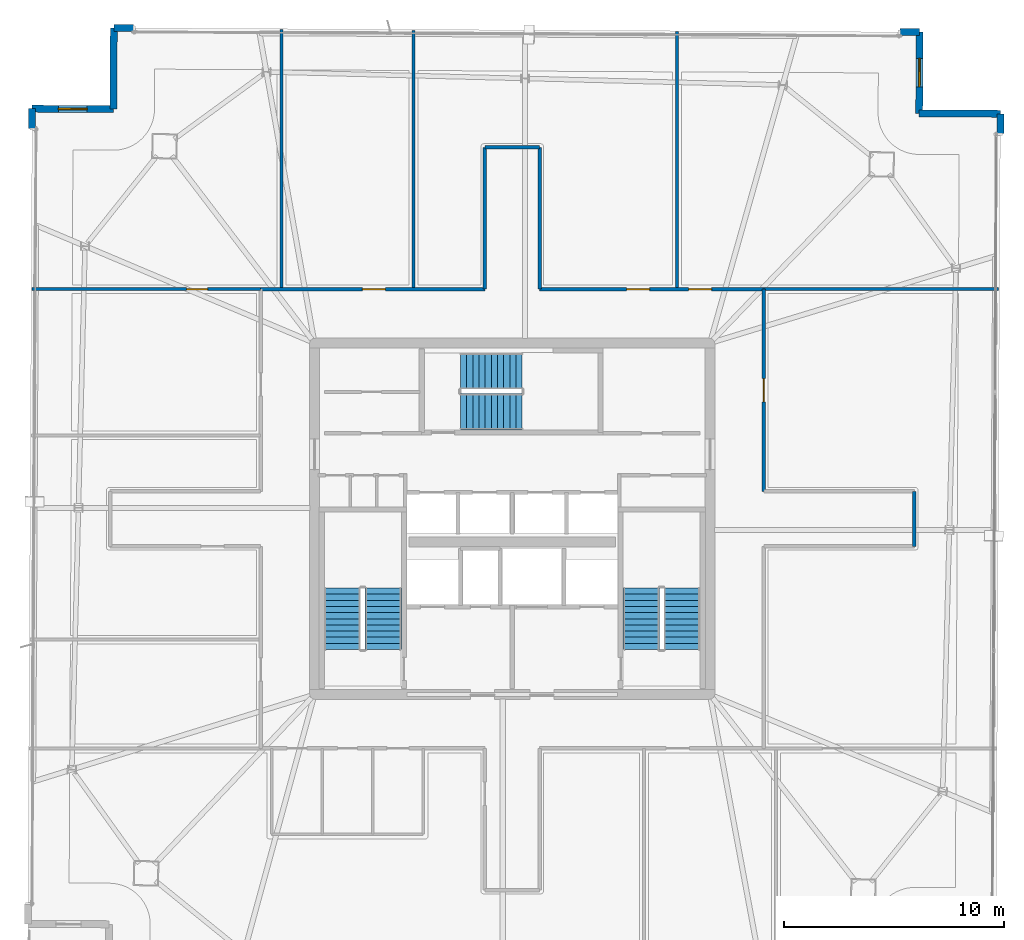
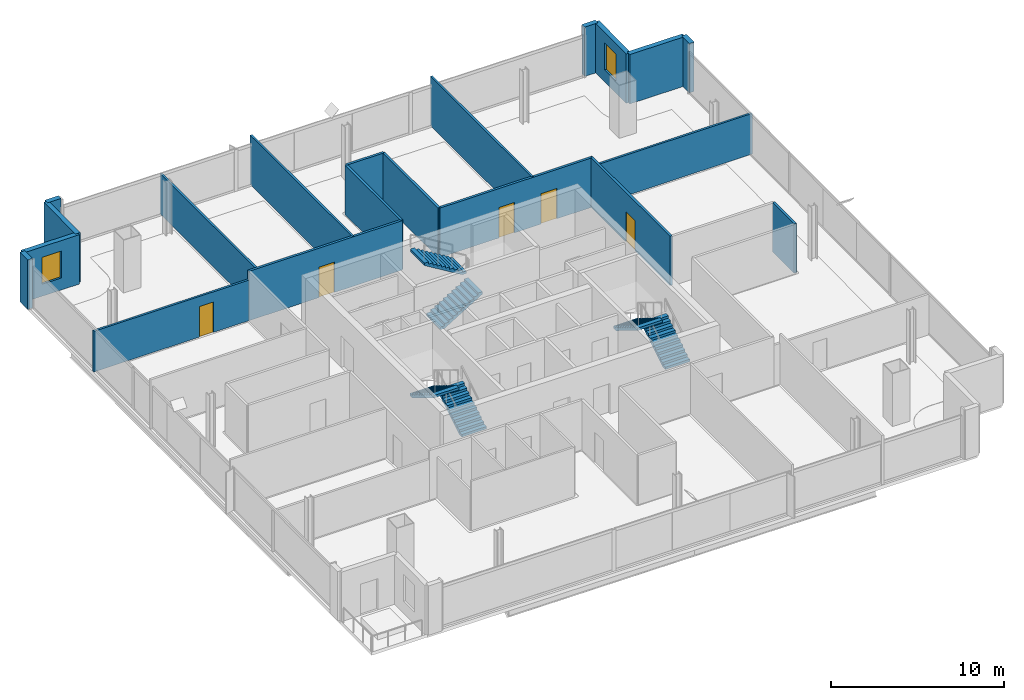
# One storey, part 21 of 24: 20 walls, 6 stair flights, 5 doors, 2 windows, 7 openings, 3 elements without a shape of their own.
"""IFC4 building model written with IfcOpenShell, lengths in metres."""

from ifc_helpers import new_model, si_unit, direction, frame, frame_2d, origin, place, context, subcontext, project, spatial, polyline, rectangle, outline, extrude, material, layer, layer_set, type_object, element, fill, aggregate, save


model = new_model("IFC4")

# Units and contexts
model_context = context("Model", 3, precision=1e-05, world=origin(), true_north=direction((0.0, 1.0)))
body_context = subcontext(model_context, "Body", "Model", "MODEL_VIEW")
ifc_project = project(units=[si_unit("LENGTHUNIT", "METRE"), si_unit("AREAUNIT", "SQUARE_METRE"), si_unit("VOLUMEUNIT", "CUBIC_METRE"), si_unit("PLANEANGLEUNIT", "RADIAN"), si_unit("MASSUNIT", "GRAM", prefix="KILO")], contexts=[model_context])

# Site, building, storey
site_placement = place(None, origin())
site = spatial("IfcSite", under=ifc_project, at=site_placement, CompositionType="ELEMENT")
building_placement = place(site_placement, origin())
building = spatial("IfcBuilding", under=site, at=building_placement, Name="Haldenkirk Collegiate Tower", CompositionType="ELEMENT")
storey_placement = place(building_placement, frame((0.0, 0.0, 328.949951171875)))
storey = spatial("IfcBuildingStorey", under=building, at=storey_placement, Name="L83", CompositionType="ELEMENT", Elevation=328.949951171875)

# Walls
ifc_material_1 = material(Name="Precast concrete f'c 40 MPa", Category="concrete")
ifc_layer_1 = layer(ifc_material_1, 0.320068359375)
ifc_layer_set_1 = layer_set([ifc_layer_1], Name="Precast concrete f'c 40 MPa")
wall_type_1 = type_object("IfcWallType", Name="WL-EXT-TWR-320", PredefinedType="STANDARD", material=ifc_layer_set_1)
wall_1_placement = place(storey_placement, frame((58.2216796875, 44.433837890625, 0.0), z_axis=(0.0, 0.0, 1.0), x_axis=(-0.005154570696, -0.999986715112, 0.0)))
element("IfcWall", 1, at=wall_1_placement, inside=storey, type_object=wall_type_1, Name="L83 precast corner pier SL", PredefinedType="STANDARD", context=body_context, shape_type="SweptSolid", body=[
    extrude(rectangle(XDim=0.89990234375, YDim=0.320068359375, at=frame_2d((0.449951171875, 0.0))), origin(), (0.0, 0.0, 1.0), 3.489990234375),
])
wall_2_placement = place(storey_placement, frame((54.52197265625, 44.453369140625, 0.0), z_axis=(0.0, 0.0, 1.0), x_axis=(0.999986065662, -0.005279060661, 0.0)))
element("IfcWall", 2, at=wall_2_placement, inside=storey, type_object=wall_type_1, Name="L83 bronze precast notch wall 02", PredefinedType="STANDARD", context=body_context, shape_type="SweptSolid", body=[
    extrude(rectangle(XDim=3.69970703125, YDim=0.320068359375, at=frame_2d((1.849853515625, 0.0))), origin(), (0.0, 0.0, 1.0), 3.489990234375),
])

# Wall, opening, window
wall_3_placement = place(storey_placement, frame((54.541259765625, 48.1533203125, 0.0), z_axis=(0.0, 0.0, 1.0), x_axis=(-0.005212730233, -0.999986413629, 0.0)))
wall_3 = element("IfcWall", 3, at=wall_3_placement, inside=storey, type_object=wall_type_1, Name="L83 bronze precast notch wall 03", PredefinedType="STANDARD", context=body_context, shape_type="SweptSolid", body=[
    extrude(rectangle(XDim=3.699951171875, YDim=0.320068359375, at=frame_2d((1.85009765625, 0.0))), origin(), (0.0, 0.0, 1.0), 3.489990234375),
])
opening_1_placement = place(wall_3_placement, frame((1.199951171875, 0.0, 0.85009765625)))
opening_1 = element("IfcOpeningElement", 4, at=opening_1_placement, cuts=wall_3, Name="Opening W-08", PredefinedType="OPENING", context=body_context, shape_type="SweptSolid", body=[
    extrude(rectangle(XDim=1.300048828125, YDim=1.89990234375, at=frame_2d((0.64990234375, 0.949951171875))), frame((0.0, 0.169921875, 0.0), z_axis=(0.0, -1.0, 0.0), x_axis=(1.0, 0.0, 0.0)), (0.0, 0.0, 1.0), 0.340087890625),
])
ifc_material_2 = material(Name="Low-E argon triple insulating glass", Category="glass")
ifc_layer_2 = layer(ifc_material_2, 0.090087890625)
ifc_layer_set_2 = layer_set([ifc_layer_2], Name="Low-E argon triple insulating glass")
window_type = type_object("IfcWindowType", Name="WN-Z6-1300X1900", PartitioningType="SINGLE_PANEL", PredefinedType="WINDOW", material=ifc_layer_set_2)
window_1_placement = place(opening_1_placement, origin())
window_1 = element("IfcWindow", 5, at=window_1_placement, inside=storey, type_object=window_type, Name="L83 precast-frame academic window 2", OverallHeight=1.89990234375, OverallWidth=1.300048828125, PartitioningType="SINGLE_PANEL", PredefinedType="WINDOW", context=body_context, shape_type="SweptSolid", body=[
    extrude(rectangle(XDim=1.300048828125, YDim=1.89990234375, at=frame_2d((0.64990234375, 0.949951171875))), frame((0.0, 0.030029296875, 0.0), z_axis=(0.0, -1.0, 0.0), x_axis=(1.0, 0.0, 0.0)), (0.0, 0.0, 1.0), 0.06005859375),
])
fill(opening_1, window_1)

# Walls
for number, where, z_axis, x_axis, name in (
    (6, (17.86669921875, 48.34521484375, 0.0), (0.0, 0.0, 1.0), (0.999986722317, -0.005153172694, 0.0), "L83 precast corner pier EL"),
    (7, (53.64111328125, 48.157958984375, 0.0), (0.0, 0.0, 1.0), (0.999986722317, -0.005153172694, 0.0), "L83 precast corner pier ER"),
):
    element("IfcWall", number, at=place(storey_placement, frame(where, z_axis=z_axis, x_axis=x_axis)), inside=storey, type_object=wall_type_1, Name=name, PredefinedType="STANDARD", context=body_context, shape_type="SweptSolid", body=[
        extrude(rectangle(XDim=0.900146484375, YDim=0.320068359375, at=frame_2d((0.4501953125, 0.0))), origin(), (0.0, 0.0, 1.0), 3.489990234375),
    ])
wall_4_placement = place(storey_placement, frame((17.847412109375, 44.645263671875, 0.0), z_axis=(0.0, 0.0, 1.0), x_axis=(0.005212730233, 0.999986413629, 0.0)))
element("IfcWall", 8, at=wall_4_placement, inside=storey, type_object=wall_type_1, Name="L83 bronze precast notch wall 05", PredefinedType="STANDARD", context=body_context, shape_type="SweptSolid", body=[
    extrude(rectangle(XDim=3.699951171875, YDim=0.320068359375, at=frame_2d((1.85009765625, 0.0))), origin(), (0.0, 0.0, 1.0), 3.489990234375),
])

# Wall, opening, window
wall_5_placement = place(storey_placement, frame((14.1474609375, 44.664794921875, 0.0), z_axis=(0.0, 0.0, 1.0), x_axis=(0.999986067501, -0.005278712333, 0.0)))
wall_5 = element("IfcWall", 9, at=wall_5_placement, inside=storey, type_object=wall_type_1, Name="L83 bronze precast notch wall 06", PredefinedType="STANDARD", context=body_context, shape_type="SweptSolid", body=[
    extrude(rectangle(XDim=3.699951171875, YDim=0.320068359375, at=frame_2d((1.85009765625, 0.0))), origin(), (0.0, 0.0, 1.0), 3.489990234375),
])
opening_2_placement = place(wall_5_placement, frame((1.199951171875, 0.0, 0.85009765625)))
opening_2 = element("IfcOpeningElement", 10, at=opening_2_placement, cuts=wall_5, Name="Opening W-08", PredefinedType="OPENING", context=body_context, shape_type="SweptSolid", body=[
    extrude(rectangle(XDim=1.300048828125, YDim=1.89990234375, at=frame_2d((0.64990234375, 0.949951171875))), frame((0.0, 0.169921875, 0.0), z_axis=(0.0, -1.0, 0.0), x_axis=(1.0, 0.0, 0.0)), (0.0, 0.0, 1.0), 0.340087890625),
])
window_2_placement = place(opening_2_placement, origin())
window_2 = element("IfcWindow", 11, at=window_2_placement, inside=storey, type_object=window_type, Name="L83 precast-frame academic window 5", OverallHeight=1.89990234375, OverallWidth=1.300048828125, PartitioningType="SINGLE_PANEL", PredefinedType="WINDOW", context=body_context, shape_type="SweptSolid", body=[
    extrude(rectangle(XDim=1.300048828125, YDim=1.89990234375, at=frame_2d((0.64990234375, 0.949951171875))), frame((0.0, 0.030029296875, 0.0), z_axis=(0.0, -1.0, 0.0), x_axis=(1.0, 0.0, 0.0)), (0.0, 0.0, 1.0), 0.06005859375),
])
fill(opening_2, window_2)

# Wall
wall_6_placement = place(storey_placement, frame((14.142578125, 43.7646484375, 0.0), z_axis=(0.0, 0.0, 1.0), x_axis=(0.005424384529, 0.999985287918, 0.0)))
element("IfcWall", 12, at=wall_6_placement, inside=storey, type_object=wall_type_1, Name="L83 precast corner pier NR", PredefinedType="STANDARD", context=body_context, shape_type="SweptSolid", body=[
    extrude(rectangle(XDim=0.900146484375, YDim=0.320068359375, at=frame_2d((0.4501953125, 0.0))), origin(), (0.0, 0.0, 1.0), 3.489990234375),
])

# Wall, opening, door
ifc_material_3 = material(Name="Acoustic fire-rated gypsum partition", Category="concrete")
ifc_layer_3 = layer(ifc_material_3, 0.159912109375)
ifc_layer_set_3 = layer_set([ifc_layer_3], Name="Acoustic fire-rated gypsum partition")
wall_type_2 = type_object("IfcWallType", Name="WL-INT-CORR-160", PredefinedType="PARTITIONING", material=ifc_layer_set_3)
wall_7_placement = place(storey_placement, frame((24.5, 36.449951171875, 0.0), z_axis=(0.0, 0.0, 1.0), x_axis=(1.0, 0.0, 0.0)))
wall_7 = element("IfcWall", 13, at=wall_7_placement, inside=storey, type_object=wall_type_2, Name="L83 interior partition IW-L83-CN1", PredefinedType="PARTITIONING", context=body_context, shape_type="SweptSolid", body=[
    extrude(rectangle(XDim=10.25, YDim=0.159912109375, at=frame_2d((5.125, 0.0))), origin(), (0.0, 0.0, 1.0), 3.489990234375),
])
opening_3_placement = place(wall_7_placement, frame((4.675048828125, 0.0, 0.0)))
opening_3 = element("IfcOpeningElement", 14, at=opening_3_placement, cuts=wall_7, Name="Opening D-09", PredefinedType="OPENING", context=body_context, shape_type="SweptSolid", body=[
    extrude(rectangle(XDim=1.050048828125, YDim=2.14990234375, at=frame_2d((0.52490234375, 1.074951171875))), frame((0.0, 0.08984375, 0.0), z_axis=(0.0, -1.0, 0.0), x_axis=(1.0, 0.0, 0.0)), (0.0, 0.0, 1.0), 0.179931640625),
])
ifc_material_4 = material(Name="Solid-core architectural oak fire door", Category="wood")
ifc_layer_4 = layer(ifc_material_4, 0.06005859375)
ifc_layer_set_4 = layer_set([ifc_layer_4], Name="Solid-core architectural oak fire door")
door_type_1 = type_object("IfcDoorType", Name="DR-INT-FD60-1050", OperationType="NOTDEFINED", PredefinedType="DOOR", material=ifc_layer_set_4)
door_1_placement = place(opening_3_placement, origin())
door_1 = element("IfcDoor", 15, at=door_1_placement, inside=storey, type_object=door_type_1, Name="L83 Case Method Seminar Room 5 door", OperationType="SINGLE_SWING_LEFT", OverallHeight=2.14990234375, OverallWidth=1.050048828125, PredefinedType="DOOR", context=body_context, shape_type="SweptSolid", body=[
    extrude(rectangle(XDim=1.050048828125, YDim=2.14990234375, at=frame_2d((0.52490234375, 1.074951171875))), frame((0.0, 0.02490234375, 0.0), z_axis=(0.0, -1.0, 0.0), x_axis=(1.0, 0.0, 0.0)), (0.0, 0.0, 1.0), 0.050048828125),
])
fill(opening_3, door_1)

# Wall, openings, doors
wall_8_placement = place(storey_placement, frame((37.25, 36.449951171875, 0.0), z_axis=(0.0, 0.0, 1.0), x_axis=(1.0, 0.0, 0.0)))
wall_8 = element("IfcWall", 16, at=wall_8_placement, inside=storey, type_object=wall_type_2, Name="L83 interior partition IW-L83-CN2", PredefinedType="PARTITIONING", context=body_context, shape_type="SweptSolid", body=[
    extrude(rectangle(XDim=10.25, YDim=0.159912109375, at=frame_2d((5.125, 0.0))), origin(), (0.0, 0.0, 1.0), 3.489990234375),
])
opening_4_placement = place(wall_8_placement, frame((3.950927734375, 0.0, 0.0)))
opening_4 = element("IfcOpeningElement", 17, at=opening_4_placement, cuts=wall_8, Name="Opening D-09", PredefinedType="OPENING", context=body_context, shape_type="SweptSolid", body=[
    extrude(rectangle(XDim=1.050048828125, YDim=2.14990234375, at=frame_2d((0.52490234375, 1.074951171875))), frame((0.0, 0.08984375, 0.0), z_axis=(0.0, -1.0, 0.0), x_axis=(1.0, 0.0, 0.0)), (0.0, 0.0, 1.0), 0.179931640625),
])
opening_5_placement = place(wall_8_placement, frame((6.779052734375, 0.0, 0.0)))
opening_5 = element("IfcOpeningElement", 18, at=opening_5_placement, cuts=wall_8, Name="Opening D-09", PredefinedType="OPENING", context=body_context, shape_type="SweptSolid", body=[
    extrude(rectangle(XDim=1.050048828125, YDim=2.14990234375, at=frame_2d((0.52490234375, 1.074951171875))), frame((0.0, 0.08984375, 0.0), z_axis=(0.0, -1.0, 0.0), x_axis=(1.0, 0.0, 0.0)), (0.0, 0.0, 1.0), 0.179931640625),
])
door_2_placement = place(opening_4_placement, origin())
door_2 = element("IfcDoor", 19, at=door_2_placement, inside=storey, type_object=door_type_1, Name="L83 Critique Seminar Room 6 door", OperationType="SINGLE_SWING_RIGHT", OverallHeight=2.14990234375, OverallWidth=1.050048828125, PredefinedType="DOOR", context=body_context, shape_type="SweptSolid", body=[
    extrude(rectangle(XDim=1.050048828125, YDim=2.14990234375, at=frame_2d((0.52490234375, 1.074951171875))), frame((0.0, 0.02490234375, 0.0), z_axis=(0.0, -1.0, 0.0), x_axis=(1.0, 0.0, 0.0)), (0.0, 0.0, 1.0), 0.050048828125),
])
fill(opening_4, door_2)
door_3_placement = place(opening_5_placement, origin())
door_3 = element("IfcDoor", 20, at=door_3_placement, inside=storey, type_object=door_type_1, Name="L83 Graduate Seminar Room 7 door", OperationType="SINGLE_SWING_LEFT", OverallHeight=2.14990234375, OverallWidth=1.050048828125, PredefinedType="DOOR", context=body_context, shape_type="SweptSolid", body=[
    extrude(rectangle(XDim=1.050048828125, YDim=2.14990234375, at=frame_2d((0.52490234375, 1.074951171875))), frame((0.0, 0.02490234375, 0.0), z_axis=(0.0, -1.0, 0.0), x_axis=(1.0, 0.0, 0.0)), (0.0, 0.0, 1.0), 0.050048828125),
])
fill(opening_5, door_3)

# Wall, opening, door
wall_9_placement = place(storey_placement, frame((47.449951171875, 27.25, 0.0), z_axis=(0.0, 0.0, 1.0), x_axis=(0.0, 1.0, 0.0)))
wall_9 = element("IfcWall", 21, at=wall_9_placement, inside=storey, type_object=wall_type_2, Name="L83 interior partition IW-L83-CE2", PredefinedType="PARTITIONING", context=body_context, shape_type="SweptSolid", body=[
    extrude(rectangle(XDim=9.199951171875, YDim=0.159912109375, at=frame_2d((4.60009765625, 0.0))), origin(), (0.0, 0.0, 1.0), 3.489990234375),
])
opening_6_placement = place(wall_9_placement, frame((4.074951171875, 0.0, 0.0)))
opening_6 = element("IfcOpeningElement", 22, at=opening_6_placement, cuts=wall_9, Name="Opening D-09", PredefinedType="OPENING", context=body_context, shape_type="SweptSolid", body=[
    extrude(rectangle(XDim=1.050048828125, YDim=2.14990234375, at=frame_2d((0.52490234375, 1.074951171875))), frame((0.0, 0.08984375, 0.0), z_axis=(0.0, -1.0, 0.0), x_axis=(1.0, 0.0, 0.0)), (0.0, 0.0, 1.0), 0.179931640625),
])
door_4_placement = place(opening_6_placement, origin())
door_4 = element("IfcDoor", 23, at=door_4_placement, inside=storey, type_object=door_type_1, Name="L83 Case Method Seminar Room 11 door", OperationType="SINGLE_SWING_LEFT", OverallHeight=2.14990234375, OverallWidth=1.050048828125, PredefinedType="DOOR", context=body_context, shape_type="SweptSolid", body=[
    extrude(rectangle(XDim=1.050048828125, YDim=2.14990234375, at=frame_2d((0.52490234375, 1.074951171875))), frame((0.0, 0.02490234375, 0.0), z_axis=(0.0, -1.0, 0.0), x_axis=(1.0, 0.0, 0.0)), (0.0, 0.0, 1.0), 0.050048828125),
])
fill(opening_6, door_4)

# Walls
for number, where, z_axis, x_axis, name in (
    (24, (34.75, 36.449951171875, 0.0), (0.0, 0.0, 1.0), (0.0, 1.0, 0.0), "L83 interior partition IW-L83-NPW"),
    (25, (37.25, 36.449951171875, 0.0), (0.0, 0.0, 1.0), (0.0, 1.0, 0.0), "L83 interior partition IW-L83-NPE"),
):
    element("IfcWall", number, at=place(storey_placement, frame(where, z_axis=z_axis, x_axis=x_axis)), inside=storey, type_object=wall_type_2, Name=name, PredefinedType="PARTITIONING", context=body_context, shape_type="SweptSolid", body=[
        extrude(rectangle(XDim=6.449951171875, YDim=0.159912109375, at=frame_2d((3.22509765625, 0.0))), origin(), (0.0, 0.0, 1.0), 3.489990234375),
    ])
for number, where, z_axis, x_axis, name in (
    (26, (34.75, 42.89990234375, 0.0), (0.0, 0.0, 1.0), (1.0, 0.0, 0.0), "L83 interior partition IW-L83-NPN"),
    (27, (54.300048828125, 24.75, 0.0), (0.0, 0.0, 1.0), (0.0, 1.0, 0.0), "L83 interior partition IW-L83-EPE"),
):
    element("IfcWall", number, at=place(storey_placement, frame(where, z_axis=z_axis, x_axis=x_axis)), inside=storey, type_object=wall_type_2, Name=name, PredefinedType="PARTITIONING", context=body_context, shape_type="SweptSolid", body=[
        extrude(rectangle(XDim=2.5, YDim=0.159912109375, at=frame_2d((1.25, 0.0))), origin(), (0.0, 0.0, 1.0), 3.489990234375),
    ])

# Wall, opening, door
ifc_layer_5 = layer(ifc_material_3, 0.139892578125)
ifc_layer_set_5 = layer_set([ifc_layer_5], Name="Acoustic fire-rated gypsum partition")
wall_type_3 = type_object("IfcWallType", Name="WL-INT-DIV-140", PredefinedType="PARTITIONING", material=ifc_layer_set_5)
wall_10_placement = place(storey_placement, frame((14.144287109375, 36.449951171875, 0.0), z_axis=(0.0, 0.0, 1.0), x_axis=(1.0, 0.0, 0.0)))
wall_10 = element("IfcWall", 28, at=wall_10_placement, inside=storey, type_object=wall_type_3, Name="L83 interior partition IW-L83-BWN", PredefinedType="PARTITIONING", context=body_context, shape_type="SweptSolid", body=[
    extrude(rectangle(XDim=10.40576171875, YDim=0.139892578125, at=frame_2d((5.202880859375, 0.0))), origin(), (0.0, 0.0, 1.0), 2.8681640625),
])
opening_7_placement = place(wall_10_placement, frame((7.03955078125, 0.0, 0.0)))
opening_7 = element("IfcOpeningElement", 29, at=opening_7_placement, cuts=wall_10, Name="Opening D-12", PredefinedType="OPENING", context=body_context, shape_type="SweptSolid", body=[
    extrude(rectangle(XDim=0.949951171875, YDim=2.14990234375, at=frame_2d((0.47509765625, 1.074951171875))), frame((0.0, 0.079833984375, 0.0), z_axis=(0.0, -1.0, 0.0), x_axis=(1.0, 0.0, 0.0)), (0.0, 0.0, 1.0), 0.159912109375),
])
ifc_layer_6 = layer(ifc_material_4, 0.06005859375)
ifc_layer_set_6 = layer_set([ifc_layer_6], Name="Solid-core architectural oak fire door")
door_type_2 = type_object("IfcDoorType", Name="DR-INT-STD-950", OperationType="NOTDEFINED", PredefinedType="DOOR", material=ifc_layer_set_6)
door_5_placement = place(opening_7_placement, origin())
door_5 = element("IfcDoor", 30, at=door_5_placement, inside=storey, type_object=door_type_2, Name="L83 Breakout Conference Room 4 door", OperationType="SINGLE_SWING_RIGHT", OverallHeight=2.14990234375, OverallWidth=0.949951171875, PredefinedType="DOOR", context=body_context, shape_type="SweptSolid", body=[
    extrude(rectangle(XDim=0.949951171875, YDim=2.14990234375, at=frame_2d((0.47509765625, 1.074951171875))), frame((0.0, 0.02490234375, 0.0), z_axis=(0.0, -1.0, 0.0), x_axis=(1.0, 0.0, 0.0)), (0.0, 0.0, 1.0), 0.050048828125),
])
fill(opening_7, door_5)

# Walls
wall_11_placement = place(storey_placement, frame((47.449951171875, 36.449951171875, 0.0), z_axis=(0.0, 0.0, 1.0), x_axis=(1.0, 0.0, 0.0)))
element("IfcWall", 31, at=wall_11_placement, inside=storey, type_object=wall_type_3, Name="L83 interior partition IW-L83-BEN", PredefinedType="PARTITIONING", context=body_context, shape_type="SweptSolid", body=[
    extrude(rectangle(XDim=10.68994140625, YDim=0.139892578125, at=frame_2d((5.344970703125, 0.0))), origin(), (0.0, 0.0, 1.0), 2.8681640625),
])
wall_12_placement = place(storey_placement, frame((25.5, 36.449951171875, 0.0), z_axis=(0.0, 0.0, 1.0), x_axis=(0.0, 1.0, 0.0)))
element("IfcWall", 32, at=wall_12_placement, inside=storey, type_object=wall_type_3, Name="L83 interior partition IW-L83-RN1", PredefinedType="PARTITIONING", context=body_context, shape_type="SweptSolid", body=[
    extrude(rectangle(XDim=11.8154296875, YDim=0.139892578125, at=frame_2d((5.90771484375, 0.0))), origin(), (0.0, 0.0, 1.0), 2.8681640625),
])
wall_13_placement = place(storey_placement, frame((31.5, 36.449951171875, 0.0), z_axis=(0.0, 0.0, 1.0), x_axis=(0.0, 1.0, 0.0)))
element("IfcWall", 33, at=wall_13_placement, inside=storey, type_object=wall_type_3, Name="L83 interior partition IW-L83-RN2", PredefinedType="PARTITIONING", context=body_context, shape_type="SweptSolid", body=[
    extrude(rectangle(XDim=11.783935546875, YDim=0.139892578125, at=frame_2d((5.89208984375, 0.0))), origin(), (0.0, 0.0, 1.0), 3.489990234375),
])
wall_14_placement = place(storey_placement, frame((43.5, 36.449951171875, 0.0), z_axis=(0.0, 0.0, 1.0), x_axis=(0.0, 1.0, 0.0)))
element("IfcWall", 34, at=wall_14_placement, inside=storey, type_object=wall_type_3, Name="L83 interior partition IW-L83-RN3", PredefinedType="PARTITIONING", context=body_context, shape_type="SweptSolid", body=[
    extrude(rectangle(XDim=11.720947265625, YDim=0.139892578125, at=frame_2d((5.8603515625, 0.0))), origin(), (0.0, 0.0, 1.0), 3.489990234375),
])

# Stair, stair flights
ifc_material_5 = material(Name="Concrete f'c 40 MPa", Category="concrete")
stair_type = type_object("IfcStairType", Name="STR-DOGLEG-1650", PredefinedType="HALF_TURN_STAIR", material=ifc_material_5)
stair_1_placement = place(storey_placement, origin())
stair_1 = element("IfcStair", 35, at=stair_1_placement, inside=storey, type_object=stair_type, Name="L83 Core Exit Stair ST-1", PredefinedType="HALF_TURN_STAIR")
stair_flight_type = type_object("IfcStairFlightType", Name="STF-FLIGHT-1650", PredefinedType="STRAIGHT", material=ifc_material_5)
stair_flight_1_placement = place(storey_placement, frame((30.125, 20.050048828125, 0.0), z_axis=(0.0, 0.0, 1.0), x_axis=(0.0, 1.0, 0.0)))
stair_flight_1 = element("IfcStairFlight", 36, at=stair_flight_1_placement, type_object=stair_flight_type, Name="ST-1 flight 1", NumberOfRisers=11, NumberOfTreads=10, PredefinedType="STRAIGHT", RiserHeight=0.170454545, TreadLength=0.28, context=body_context, shape_type="SweptSolid", body=[
    extrude(outline(polyline([(0.0, 0.0), (0.0, 0.17041015625), (0.280029296875, 0.17041015625), (0.280029296875, 0.3408203125), (0.56005859375, 0.3408203125), (0.56005859375, 0.511474609375), (0.840087890625, 0.511474609375), (0.840087890625, 0.681884765625), (1.1201171875, 0.681884765625), (1.1201171875, 0.852294921875), (1.39990234375, 0.852294921875), (1.39990234375, 1.022705078125), (1.679931640625, 1.022705078125), (1.679931640625, 1.193115234375), (1.9599609375, 1.193115234375), (1.9599609375, 1.363525390625), (2.239990234375, 1.363525390625), (2.239990234375, 1.5341796875), (2.52001953125, 1.5341796875), (2.52001953125, 1.70458984375), (2.800048828125, 1.70458984375), (2.800048828125, 1.875), (2.800048828125, 1.529052734375), (0.288330078125, 0.0), (0.0, 0.0)])), frame((0.0, 0.824951171875, 0.0), z_axis=(0.0, -1.0, 0.0), x_axis=(1.0, 0.0, 0.0)), (0.0, 0.0, 1.0), 1.64990234375),
])
stair_flight_2_placement = place(storey_placement, frame((28.27490234375, 22.85009765625, 1.875), z_axis=(0.0, 0.0, 1.0), x_axis=(0.0, -1.0, 0.0)))
stair_flight_2 = element("IfcStairFlight", 37, at=stair_flight_2_placement, type_object=stair_flight_type, Name="ST-1 flight 2", NumberOfRisers=11, NumberOfTreads=10, PredefinedType="STRAIGHT", RiserHeight=0.170454545, TreadLength=0.28, context=body_context, shape_type="SweptSolid", body=[
    extrude(outline(polyline([(0.0, 0.0), (0.0, 0.17041015625), (0.280029296875, 0.17041015625), (0.280029296875, 0.3408203125), (0.56005859375, 0.3408203125), (0.56005859375, 0.511474609375), (0.840087890625, 0.511474609375), (0.840087890625, 0.681884765625), (1.1201171875, 0.681884765625), (1.1201171875, 0.852294921875), (1.39990234375, 0.852294921875), (1.39990234375, 1.022705078125), (1.679931640625, 1.022705078125), (1.679931640625, 1.193115234375), (1.9599609375, 1.193115234375), (1.9599609375, 1.363525390625), (2.239990234375, 1.363525390625), (2.239990234375, 1.5341796875), (2.52001953125, 1.5341796875), (2.52001953125, 1.70458984375), (2.800048828125, 1.70458984375), (2.800048828125, 1.875), (2.800048828125, 1.529052734375), (0.288330078125, 0.0), (0.0, 0.0)])), frame((0.0, 0.824951171875, 0.0), z_axis=(0.0, -1.0, 0.0), x_axis=(1.0, 0.0, 0.0)), (0.0, 0.0, 1.0), 1.64990234375),
])
aggregate(stair_1, [stair_flight_1, stair_flight_2])

stair_2_placement = place(storey_placement, origin())
stair_2 = element("IfcStair", 38, at=stair_2_placement, inside=storey, type_object=stair_type, Name="L83 Core Exit Stair ST-2", PredefinedType="HALF_TURN_STAIR")
stair_flight_3_placement = place(storey_placement, frame((43.72509765625, 20.050048828125, 0.0), z_axis=(0.0, 0.0, 1.0), x_axis=(0.0, 1.0, 0.0)))
stair_flight_3 = element("IfcStairFlight", 39, at=stair_flight_3_placement, type_object=stair_flight_type, Name="ST-2 flight 1", NumberOfRisers=11, NumberOfTreads=10, PredefinedType="STRAIGHT", RiserHeight=0.170454545, TreadLength=0.28, context=body_context, shape_type="SweptSolid", body=[
    extrude(outline(polyline([(0.0, 0.0), (0.0, 0.17041015625), (0.280029296875, 0.17041015625), (0.280029296875, 0.3408203125), (0.56005859375, 0.3408203125), (0.56005859375, 0.511474609375), (0.840087890625, 0.511474609375), (0.840087890625, 0.681884765625), (1.1201171875, 0.681884765625), (1.1201171875, 0.852294921875), (1.39990234375, 0.852294921875), (1.39990234375, 1.022705078125), (1.679931640625, 1.022705078125), (1.679931640625, 1.193115234375), (1.9599609375, 1.193115234375), (1.9599609375, 1.363525390625), (2.239990234375, 1.363525390625), (2.239990234375, 1.5341796875), (2.52001953125, 1.5341796875), (2.52001953125, 1.70458984375), (2.800048828125, 1.70458984375), (2.800048828125, 1.875), (2.800048828125, 1.529052734375), (0.288330078125, 0.0), (0.0, 0.0)])), frame((0.0, 0.824951171875, 0.0), z_axis=(0.0, -1.0, 0.0), x_axis=(1.0, 0.0, 0.0)), (0.0, 0.0, 1.0), 1.64990234375),
])
stair_flight_4_placement = place(storey_placement, frame((41.875, 22.85009765625, 1.875), z_axis=(0.0, 0.0, 1.0), x_axis=(0.0, -1.0, 0.0)))
stair_flight_4 = element("IfcStairFlight", 40, at=stair_flight_4_placement, type_object=stair_flight_type, Name="ST-2 flight 2", NumberOfRisers=11, NumberOfTreads=10, PredefinedType="STRAIGHT", RiserHeight=0.170454545, TreadLength=0.28, context=body_context, shape_type="SweptSolid", body=[
    extrude(outline(polyline([(0.0, 0.0), (0.0, 0.17041015625), (0.280029296875, 0.17041015625), (0.280029296875, 0.3408203125), (0.56005859375, 0.3408203125), (0.56005859375, 0.511474609375), (0.840087890625, 0.511474609375), (0.840087890625, 0.681884765625), (1.1201171875, 0.681884765625), (1.1201171875, 0.852294921875), (1.39990234375, 0.852294921875), (1.39990234375, 1.022705078125), (1.679931640625, 1.022705078125), (1.679931640625, 1.193115234375), (1.9599609375, 1.193115234375), (1.9599609375, 1.363525390625), (2.239990234375, 1.363525390625), (2.239990234375, 1.5341796875), (2.52001953125, 1.5341796875), (2.52001953125, 1.70458984375), (2.800048828125, 1.70458984375), (2.800048828125, 1.875), (2.800048828125, 1.529052734375), (0.288330078125, 0.0), (0.0, 0.0)])), frame((0.0, 0.824951171875, 0.0), z_axis=(0.0, -1.0, 0.0), x_axis=(1.0, 0.0, 0.0)), (0.0, 0.0, 1.0), 1.64990234375),
])
aggregate(stair_2, [stair_flight_3, stair_flight_4])

stair_3_placement = place(storey_placement, origin())
stair_3 = element("IfcStair", 41, at=stair_3_placement, inside=storey, type_object=stair_type, Name="L83 Core Exit Stair ST-3", PredefinedType="HALF_TURN_STAIR")
stair_flight_5_placement = place(storey_placement, frame((33.64990234375, 30.875, 0.0), z_axis=(0.0, 0.0, 1.0), x_axis=(1.0, 0.0, 0.0)))
stair_flight_5 = element("IfcStairFlight", 42, at=stair_flight_5_placement, type_object=stair_flight_type, Name="ST-3 flight 1", NumberOfRisers=11, NumberOfTreads=10, PredefinedType="STRAIGHT", RiserHeight=0.170454545, TreadLength=0.28, context=body_context, shape_type="SweptSolid", body=[
    extrude(outline(polyline([(0.0, 0.0), (0.0, 0.17041015625), (0.280029296875, 0.17041015625), (0.280029296875, 0.3408203125), (0.56005859375, 0.3408203125), (0.56005859375, 0.511474609375), (0.840087890625, 0.511474609375), (0.840087890625, 0.681884765625), (1.1201171875, 0.681884765625), (1.1201171875, 0.852294921875), (1.39990234375, 0.852294921875), (1.39990234375, 1.022705078125), (1.679931640625, 1.022705078125), (1.679931640625, 1.193115234375), (1.9599609375, 1.193115234375), (1.9599609375, 1.363525390625), (2.239990234375, 1.363525390625), (2.239990234375, 1.5341796875), (2.52001953125, 1.5341796875), (2.52001953125, 1.70458984375), (2.800048828125, 1.70458984375), (2.800048828125, 1.875), (2.800048828125, 1.529052734375), (0.288330078125, 0.0), (0.0, 0.0)])), frame((0.0, 0.824951171875, 0.0), z_axis=(0.0, -1.0, 0.0), x_axis=(1.0, 0.0, 0.0)), (0.0, 0.0, 1.0), 1.64990234375),
])
stair_flight_6_placement = place(storey_placement, frame((36.449951171875, 32.72509765625, 1.875), z_axis=(0.0, 0.0, 1.0), x_axis=(-1.0, 0.0, 0.0)))
stair_flight_6 = element("IfcStairFlight", 43, at=stair_flight_6_placement, type_object=stair_flight_type, Name="ST-3 flight 2", NumberOfRisers=11, NumberOfTreads=10, PredefinedType="STRAIGHT", RiserHeight=0.170454545, TreadLength=0.28, context=body_context, shape_type="SweptSolid", body=[
    extrude(outline(polyline([(0.0, 0.0), (0.0, 0.17041015625), (0.280029296875, 0.17041015625), (0.280029296875, 0.3408203125), (0.56005859375, 0.3408203125), (0.56005859375, 0.511474609375), (0.840087890625, 0.511474609375), (0.840087890625, 0.681884765625), (1.1201171875, 0.681884765625), (1.1201171875, 0.852294921875), (1.39990234375, 0.852294921875), (1.39990234375, 1.022705078125), (1.679931640625, 1.022705078125), (1.679931640625, 1.193115234375), (1.9599609375, 1.193115234375), (1.9599609375, 1.363525390625), (2.239990234375, 1.363525390625), (2.239990234375, 1.5341796875), (2.52001953125, 1.5341796875), (2.52001953125, 1.70458984375), (2.800048828125, 1.70458984375), (2.800048828125, 1.875), (2.800048828125, 1.529052734375), (0.288330078125, 0.0), (0.0, 0.0)])), frame((0.0, 0.824951171875, 0.0), z_axis=(0.0, -1.0, 0.0), x_axis=(1.0, 0.0, 0.0)), (0.0, 0.0, 1.0), 1.64990234375),
])
aggregate(stair_3, [stair_flight_5, stair_flight_6])

save(model, "model.ifc")
